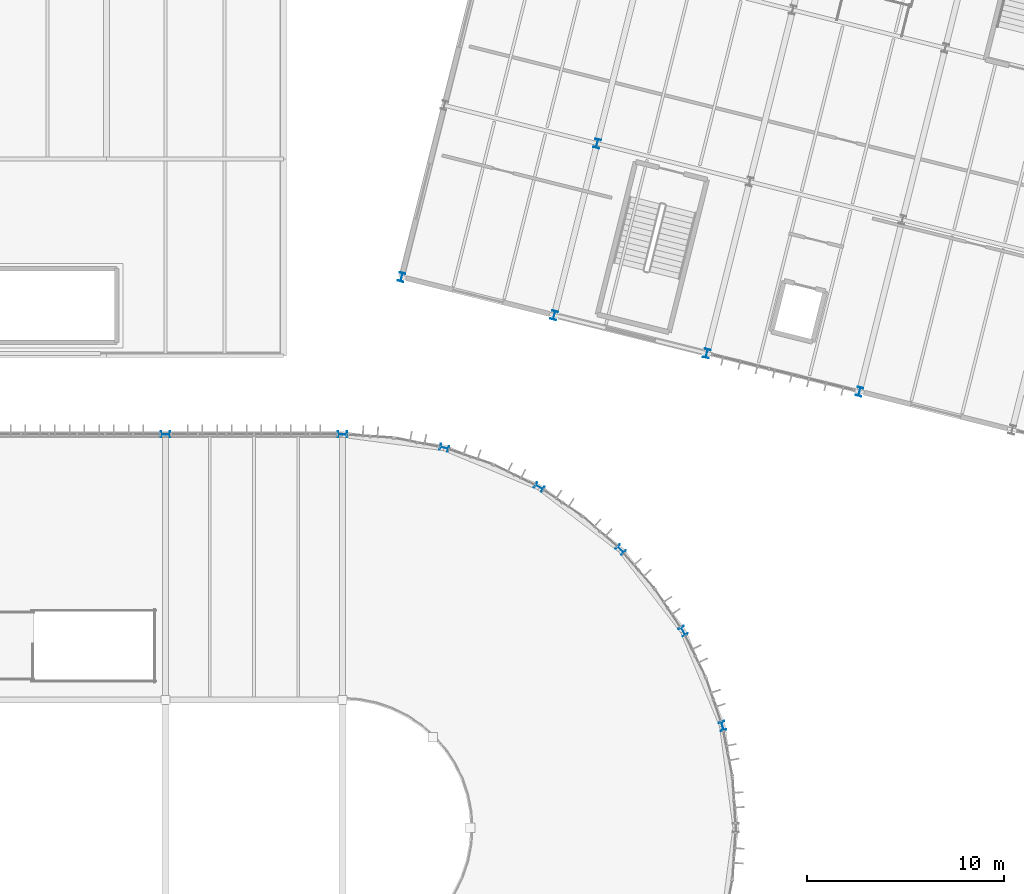
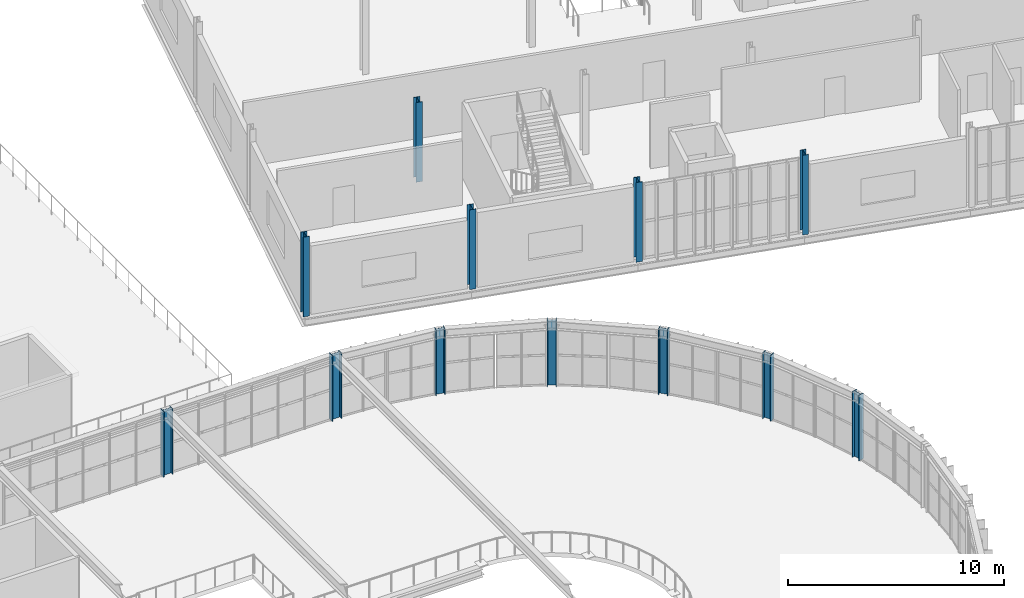
# One storey, part 8 of 152: 12 columns.
"""IFC4 building model written with IfcOpenShell, lengths in metres."""

from ifc_helpers import new_model, si_unit, derived_unit, direction, frame, origin, origin_2d, place, context, subcontext, project, spatial, i_section, extrude, material, material_profile, profile_set, type_object, element, save


model = new_model("IFC4")

# Units and contexts
model_context = context("Model", 3, precision=1e-05, world=origin(), true_north=direction((0.0, 1.0)))
body_context = subcontext(model_context, "Body", "Model", "MODEL_VIEW")
ifc_project = project(units=[si_unit("LENGTHUNIT", "METRE"), si_unit("AREAUNIT", "SQUARE_METRE"), si_unit("VOLUMEUNIT", "CUBIC_METRE"), si_unit("PLANEANGLEUNIT", "RADIAN"), si_unit("MASSUNIT", "GRAM", prefix="KILO"), si_unit("THERMODYNAMICTEMPERATUREUNIT", "KELVIN"), si_unit("TIMEUNIT", "SECOND"), derived_unit("THERMALTRANSMITTANCEUNIT", [(si_unit("MASSUNIT", "GRAM", prefix="KILO"), 1), (si_unit("THERMODYNAMICTEMPERATUREUNIT", "KELVIN"), -1), (si_unit("TIMEUNIT", "SECOND"), -3)])], contexts=[model_context])

# Site, building, storey
site_placement = place(None, origin())
site = spatial("IfcSite", under=ifc_project, at=site_placement, CompositionType="ELEMENT")
building_placement = place(site_placement, origin())
building = spatial("IfcBuilding", under=site, at=building_placement, Name="Cambertide Market Hall", CompositionType="ELEMENT")
storey_placement = place(building_placement, frame((0.0, 0.0, 5.39990234375)))
storey = spatial("IfcBuildingStorey", under=building, at=storey_placement, Name="L02", CompositionType="ELEMENT", Elevation=5.39990234375)

# Columns
ifc_material_1 = material(Name="Steel S355", Category="steel")
ifc_material_profile_1 = material_profile(ifc_material_1, i_section(OverallWidth=0.300048828125, OverallDepth=0.449951171875, WebThickness=0.013916015625, FlangeThickness=0.02587890625, FilletRadius=0.027099609375, at=origin_2d()), Name="HEB 450")
ifc_profile_set_1 = profile_set([ifc_material_profile_1], Name="Steel S355")
column_type_1 = type_object("IfcColumnType", Name="Exterior Steel Column HEB 450", PredefinedType="COLUMN", material=ifc_profile_set_1)
for number, where, z_axis, x_axis, name in (
    (1, (124.318603515625, 77.17626953125, 0.0), (0.0, 0.0, 1.0), (0.965925826289, 0.258819045103, 0.0), "Level 2 Column COL-V1-AE14-L02"),
    (2, (122.320556640625, 82.0, 0.0), (0.0, 0.0, 1.0), (0.866025403784, 0.5, 0.0), "Level 2 Column COL-V1-AE16-L02"),
    (3, (119.14208984375, 86.14208984375, 0.0), (0.0, 0.0, 1.0), (0.707106781187, 0.707106781187, 0.0), "Level 2 Column COL-V1-AE18-L02"),
    (4, (115.0, 89.320556640625, 0.0), (0.0, 0.0, 1.0), (0.5, 0.866025403784, 0.0), "Level 2 Column COL-V1-AE20-L02"),
    (5, (110.17626953125, 91.318603515625, 0.0), (0.0, 0.0, 1.0), (0.258819045103, 0.965925826289, 0.0), "Level 2 Column COL-V1-AE22-L02"),
):
    element("IfcColumn", number, at=place(storey_placement, frame(where, z_axis=z_axis, x_axis=x_axis)), inside=storey, type_object=column_type_1, Name=name, PredefinedType="COLUMN", context=body_context, shape_type="SweptSolid", body=[
        extrude(i_section(OverallWidth=0.300048828125, OverallDepth=0.449951171875, WebThickness=0.013916015625, FlangeThickness=0.02587890625, FilletRadius=0.027099609375, at=origin_2d()), origin(), (0.0, 0.0, 1.0), 3.7001953125),
    ])
for number, where, z_axis, x_axis, name in (
    (6, (108.0, 100.0, 0.0), (0.0, 0.0, 1.0), (0.970142500145, -0.242535625038, 0.0), "Level 2 Column COL-V4-1-1-L02"),
    (7, (115.76123046875, 98.059814453125, 0.0), (0.0, 0.0, 1.0), (0.970142500145, -0.242535625038, 0.0), "Level 2 Column COL-V4-2-1-L02"),
    (8, (123.522216796875, 96.119384765625, 0.0), (0.0, 0.0, 1.0), (0.970142500145, -0.242535625038, 0.0), "Level 2 Column COL-V4-3-1-L02"),
    (9, (131.283447265625, 94.17919921875, 0.0), (0.0, 0.0, 1.0), (0.970142500145, -0.242535625038, 0.0), "Level 2 Column COL-V4-4-1-L02"),
):
    element("IfcColumn", number, at=place(storey_placement, frame(where, z_axis=z_axis, x_axis=x_axis)), inside=storey, type_object=column_type_1, Name=name, PredefinedType="COLUMN", context=body_context, shape_type="SweptSolid", body=[
        extrude(i_section(OverallWidth=0.300048828125, OverallDepth=0.449951171875, WebThickness=0.013916015625, FlangeThickness=0.02587890625, FilletRadius=0.027099609375, at=origin_2d()), origin(), (0.0, 0.0, 1.0), 4.5),
    ])
ifc_material_2 = material(Name="Steel S355", Category="steel")
ifc_material_profile_2 = material_profile(ifc_material_2, i_section(OverallWidth=0.300048828125, OverallDepth=0.5, WebThickness=0.014404296875, FlangeThickness=0.028076171875, FilletRadius=0.027099609375, at=origin_2d()), Name="HEB 500")
ifc_profile_set_2 = profile_set([ifc_material_profile_2], Name="Steel S355")
column_type_2 = type_object("IfcColumnType", Name="Exterior Steel Column HEB 500", PredefinedType="COLUMN", material=ifc_profile_set_2)
for number, where, z_axis, x_axis, name in (
    (10, (96.0, 92.0, 0.0), (0.0, 0.0, 1.0), (0.0, 1.0, 0.0), "Level 2 Column COL-V1-N7-L02"),
    (11, (105.0, 92.0, 0.0), (0.0, 0.0, 1.0), (0.0, 1.0, 0.0), "Level 2 Column COL-V1-N8-L02"),
):
    element("IfcColumn", number, at=place(storey_placement, frame(where, z_axis=z_axis, x_axis=x_axis)), inside=storey, type_object=column_type_2, Name=name, PredefinedType="COLUMN", context=body_context, shape_type="SweptSolid", body=[
        extrude(i_section(OverallWidth=0.300048828125, OverallDepth=0.5, WebThickness=0.014404296875, FlangeThickness=0.028076171875, FilletRadius=0.027099609375, at=origin_2d()), origin(), (0.0, 0.0, 1.0), 3.7001953125),
    ])
ifc_material_3 = material(Name="Steel S355", Category="steel")
ifc_material_profile_3 = material_profile(ifc_material_3, i_section(OverallWidth=0.300048828125, OverallDepth=0.449951171875, WebThickness=0.013916015625, FlangeThickness=0.02587890625, FilletRadius=0.027099609375, at=origin_2d()), Name="HEB 450")
ifc_profile_set_3 = profile_set([ifc_material_profile_3], Name="Steel S355")
column_type_3 = type_object("IfcColumnType", Name="Steel Column HEB 450", PredefinedType="COLUMN", material=ifc_profile_set_3)
column_placement = place(storey_placement, frame((117.94384765625, 106.791015625, 0.0), z_axis=(0.0, 0.0, 1.0), x_axis=(0.970142500145, -0.242535625038, 0.0)))
element("IfcColumn", 12, at=column_placement, inside=storey, type_object=column_type_3, Name="Level 2 Column COL-V4-2-2-L02", PredefinedType="COLUMN", context=body_context, shape_type="SweptSolid", body=[
    extrude(i_section(OverallWidth=0.300048828125, OverallDepth=0.449951171875, WebThickness=0.013916015625, FlangeThickness=0.02587890625, FilletRadius=0.027099609375, at=origin_2d()), origin(), (0.0, 0.0, 1.0), 4.5),
])

save(model, "model.ifc")
